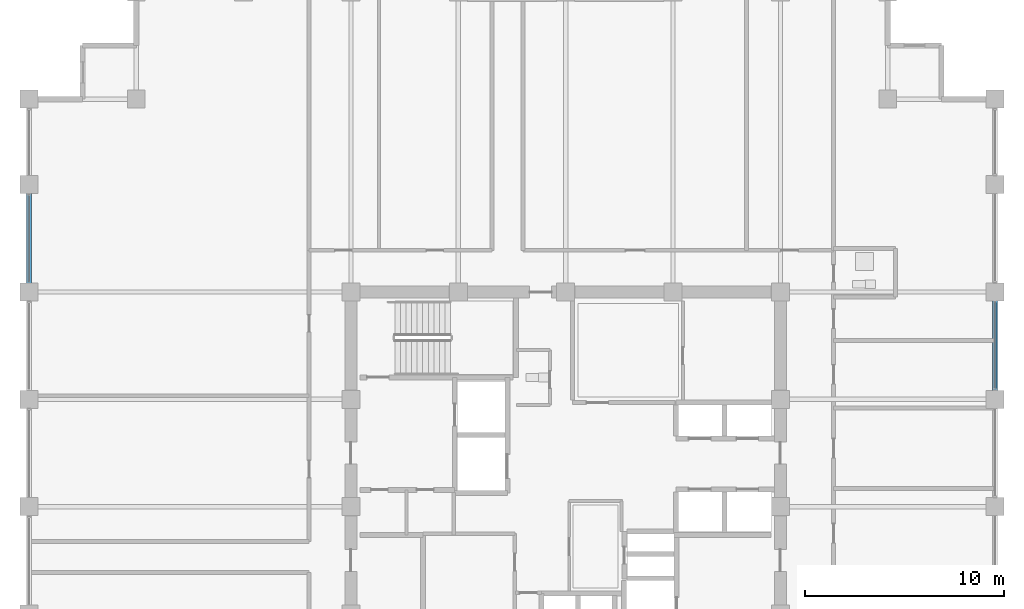
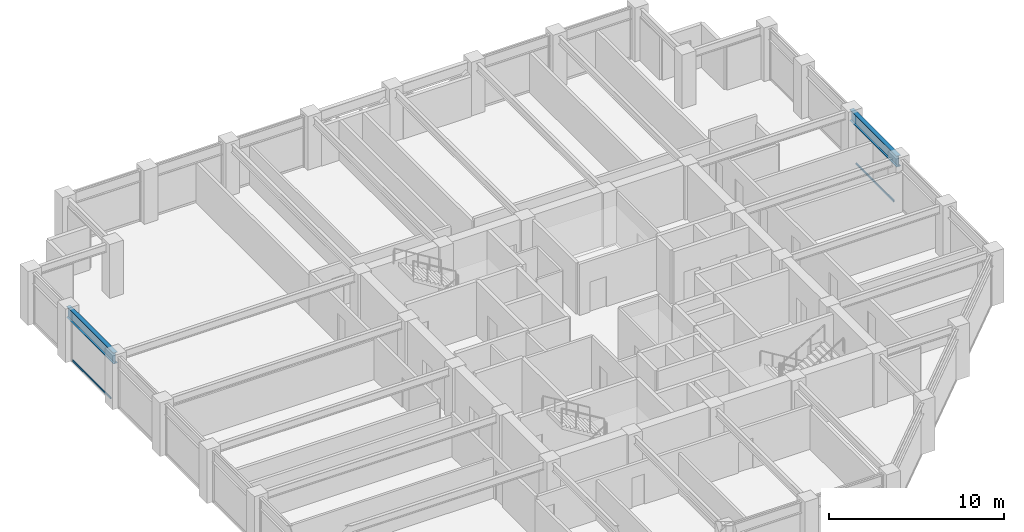
# One storey, part 15 of 32: 2 beams, 2 members, 2 elements without a shape of their own.
"""IFC4 building model written with IfcOpenShell, lengths in metres."""

from ifc_helpers import new_model, si_unit, direction, frame, origin, origin_2d, place, context, subcontext, project, spatial, hollow_rectangle, i_section, extrude, material, layer, layer_set, material_profile, profile_set, type_object, element, aggregate, save


model = new_model("IFC4")

# Units and contexts
model_context = context("Model", 3, precision=1e-05, world=origin(), true_north=direction((0.0, 1.0)))
body_context = subcontext(model_context, "Body", "Model", "MODEL_VIEW")
ifc_project = project(units=[si_unit("LENGTHUNIT", "METRE"), si_unit("AREAUNIT", "SQUARE_METRE"), si_unit("VOLUMEUNIT", "CUBIC_METRE"), si_unit("PLANEANGLEUNIT", "RADIAN"), si_unit("MASSUNIT", "GRAM", prefix="KILO")], contexts=[model_context])

# Site, building, storey
site_placement = place(None, origin())
site = spatial("IfcSite", under=ifc_project, at=site_placement, CompositionType="ELEMENT")
building_placement = place(site_placement, origin())
building = spatial("IfcBuilding", under=site, at=building_placement, Name="Surkhivell Harbour Commons", CompositionType="ELEMENT")
storey_placement = place(building_placement, frame((0.0, 0.0, 208.5)))
storey = spatial("IfcBuildingStorey", under=building, at=storey_placement, Name="L54", CompositionType="ELEMENT", Elevation=208.5)

# Beams
ifc_material_1 = material(Name="Steel S355", Category="steel")
ifc_material_profile_1 = material_profile(ifc_material_1, i_section(OverallWidth=0.26806640625, OverallDepth=0.77001953125, WebThickness=0.015625, FlangeThickness=0.025390625, at=origin_2d()), Name="UB762x267x197")
ifc_profile_set_1 = profile_set([ifc_material_profile_1], Name="Steel S355")
beam_type = type_object("IfcBeamType", Name="BM-SPN-762", PredefinedType="SPANDREL", material=ifc_profile_set_1)
beam_1_placement = place(storey_placement, frame((-27.0, 10.800048828125, 3.18505859375), z_axis=(0.0, 1.0, 0.0), x_axis=(-1.0, 0.0, 0.0)))
element("IfcBeam", 1, at=beam_1_placement, inside=storey, type_object=beam_type, Name="L54 Tube Spandrel (-27.0,10.8)", PredefinedType="SPANDREL", context=body_context, shape_type="SweptSolid", body=[
    extrude(i_section(OverallWidth=0.26806640625, OverallDepth=0.77001953125, WebThickness=0.015625, FlangeThickness=0.025390625, at=origin_2d()), origin(), (0.0, 0.0, 1.0), 5.39990234375),
])
beam_2_placement = place(storey_placement, frame((21.60009765625, 5.39990234375, 3.18505859375), z_axis=(0.0, 1.0, 0.0), x_axis=(-1.0, 0.0, 0.0)))
element("IfcBeam", 2, at=beam_2_placement, inside=storey, type_object=beam_type, Name="L54 Tube Spandrel (21.6,5.4)", PredefinedType="SPANDREL", context=body_context, shape_type="SweptSolid", body=[
    extrude(i_section(OverallWidth=0.26806640625, OverallDepth=0.77001953125, WebThickness=0.015625, FlangeThickness=0.025390625, at=origin_2d()), origin(), (0.0, 0.0, 1.0), 5.400146484375),
])

# Curtain wall, member
ifc_material_2 = material(Name="Anodised pale-metal aluminium and insulated glazing", Category="aluminium")
ifc_layer = layer(ifc_material_2, 0.18994140625)
ifc_layer_set = layer_set([ifc_layer], Name="Anodised pale-metal aluminium and insulated glazing")
curtain_wall_type = type_object("IfcCurtainWallType", Name="CW-SYS-Z3", PredefinedType="NOTDEFINED", material=ifc_layer_set)
curtain_wall_1_placement = place(storey_placement, origin())
curtain_wall_1 = element("IfcCurtainWall", 3, at=curtain_wall_1_placement, inside=storey, type_object=curtain_wall_type, Name="L54 Curtain Wall CW-L54-E02", PredefinedType="NOTDEFINED")
ifc_material_3 = material(Name="Champagne anodised aluminium alloy 6063-T6", Category="aluminium")
ifc_material_profile_2 = material_profile(ifc_material_3, hollow_rectangle(XDim=0.070068359375, YDim=0.1298828125, WallThickness=0.00341796875, at=origin_2d()), Name="ALU-TRAN-70x130")
ifc_profile_set_2 = profile_set([ifc_material_profile_2], Name="Champagne anodised aluminium alloy 6063-T6")
member_type = type_object("IfcMemberType", Name="CWT-130", PredefinedType="USERDEFINED", material=ifc_profile_set_2)
member_1_placement = place(storey_placement, frame((21.60009765625, 5.927001953125, 0.06494140625), z_axis=(0.0, 1.0, 0.0), x_axis=(-1.0, 0.0, 0.0)))
member_1 = element("IfcMember", 4, at=member_1_placement, type_object=member_type, Name="CW-Z3 transom 3.1", ObjectType="TRANSOM", PredefinedType="USERDEFINED", context=body_context, shape_type="SweptSolid", body=[
    extrude(hollow_rectangle(XDim=0.070068359375, YDim=0.1298828125, WallThickness=0.00341796875, at=origin_2d()), origin(), (0.0, 0.0, 1.0), 4.345947265625),
])
aggregate(curtain_wall_1, [member_1])

curtain_wall_2_placement = place(storey_placement, origin())
curtain_wall_2 = element("IfcCurtainWall", 5, at=curtain_wall_2_placement, inside=storey, type_object=curtain_wall_type, Name="L54 Curtain Wall CW-L54-E12S1", PredefinedType="NOTDEFINED")
member_2_placement = place(storey_placement, frame((-27.0, 15.673095703125, 0.06494140625), z_axis=(0.0, -1.0, 0.0), x_axis=(1.0, 0.0, 0.0)))
member_2 = element("IfcMember", 6, at=member_2_placement, type_object=member_type, Name="CW-Z3 transom 2.1", ObjectType="TRANSOM", PredefinedType="USERDEFINED", context=body_context, shape_type="SweptSolid", body=[
    extrude(hollow_rectangle(XDim=0.070068359375, YDim=0.1298828125, WallThickness=0.00341796875, at=origin_2d()), origin(), (0.0, 0.0, 1.0), 4.34619140625),
])
aggregate(curtain_wall_2, [member_2])

save(model, "model.ifc")
